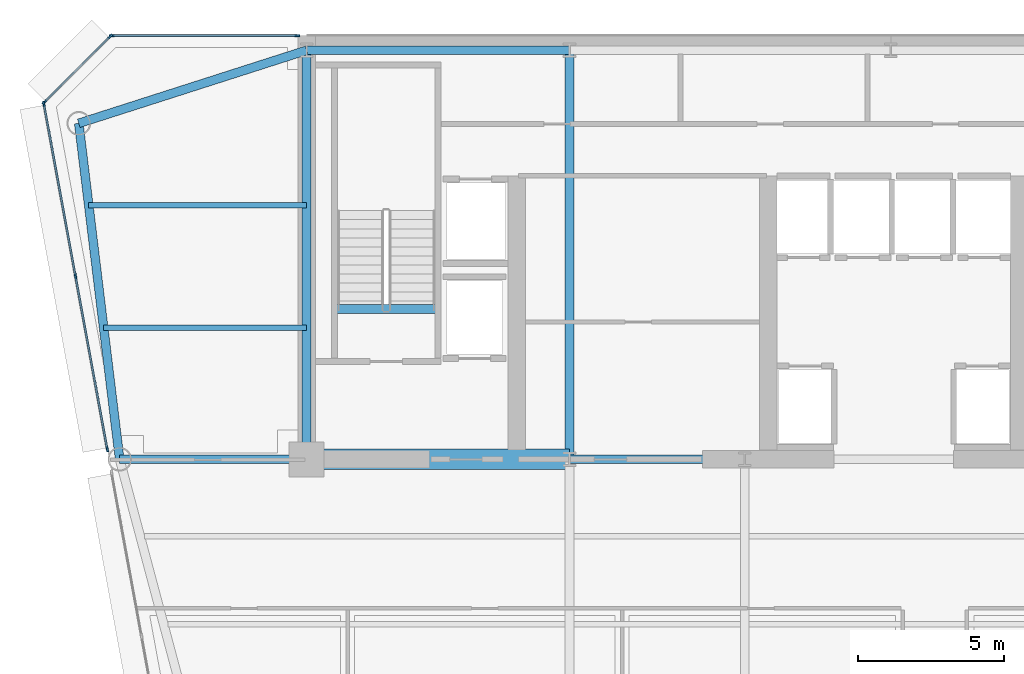
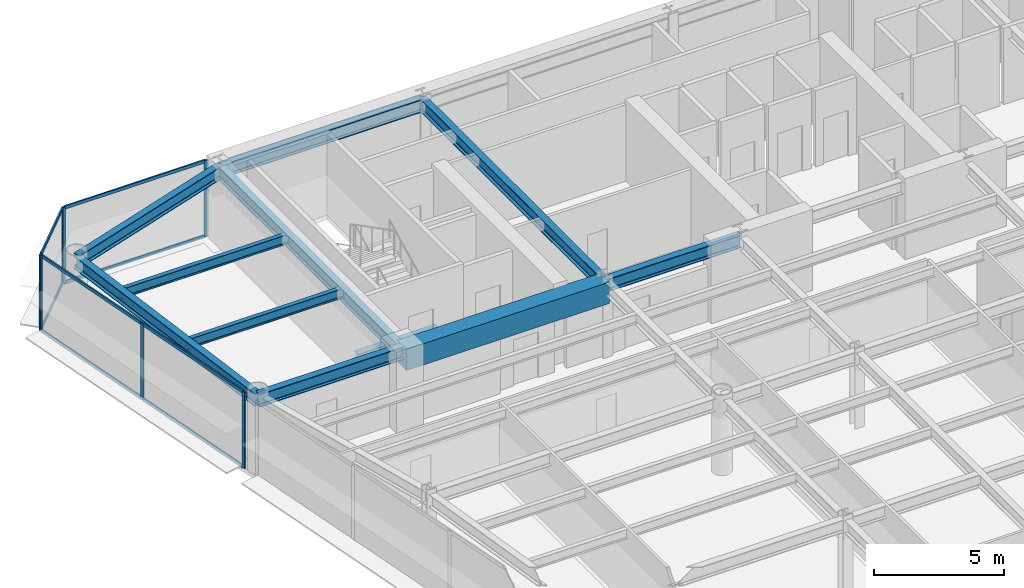
# One storey, part 7 of 17: 15 members, 11 beams, 3 elements without a shape of their own.
"""IFC4 building model written with IfcOpenShell, lengths in metres."""

from ifc_helpers import new_model, si_unit, direction, frame, origin, origin_2d, place, context, subcontext, project, spatial, rectangle, i_section, extrude, source, transform, mapped, material, layer, layer_set, material_profile, profile_set, type_object, element, aggregate, save


model = new_model("IFC4")

# Units and contexts
model_context = context("Model", 3, precision=1e-05, world=origin(), true_north=direction((0.0, 1.0)))
body_context = subcontext(model_context, "Body", "Model", "MODEL_VIEW")
ifc_project = project(units=[si_unit("LENGTHUNIT", "METRE"), si_unit("AREAUNIT", "SQUARE_METRE"), si_unit("VOLUMEUNIT", "CUBIC_METRE"), si_unit("PLANEANGLEUNIT", "RADIAN"), si_unit("MASSUNIT", "GRAM", prefix="KILO")], contexts=[model_context])

# Site, building, storey
site_placement = place(None, origin())
site = spatial("IfcSite", under=ifc_project, at=site_placement, CompositionType="ELEMENT")
building_placement = place(site_placement, origin())
building = spatial("IfcBuilding", under=site, at=building_placement, Name="Vaeldorn Concourse Tower", CompositionType="ELEMENT")
storey_placement = place(building_placement, frame((0.0, 0.0, 180.39990234375)))
storey = spatial("IfcBuildingStorey", under=building, at=storey_placement, Name="L46", CompositionType="ELEMENT", Elevation=180.39990234375)

# Beams
ifc_material_1 = material(Name="Concrete C50/60", Category="concrete")
ifc_material_profile_1 = material_profile(ifc_material_1, rectangle(XDim=0.699951171875, YDim=1.0, at=origin_2d()), Name="RC 700x1000")
ifc_profile_set_1 = profile_set([ifc_material_profile_1], Name="Concrete C50/60")
beam_type_1 = type_object("IfcBeamType", Name="BM-CB-RC700", PredefinedType="BEAM", material=ifc_profile_set_1)
shared_shape_1 = source(origin(), body_context, "Body", "SweptSolid", [
    extrude(rectangle(XDim=0.699951171875, YDim=1.0, at=origin_2d()), origin(), (0.0, 0.0, 1.0), 9.0),
])
beam_1_placement = place(storey_placement, frame((14.0, 36.5, 3.080078125), z_axis=(1.0, 0.0, 0.0), x_axis=(0.0, 1.0, 0.0)))
element("IfcBeam", 1, at=beam_1_placement, inside=storey, type_object=beam_type_1, Name="Core Coupling Beam L46-1", PredefinedType="BEAM", context=body_context, shape_type="MappedRepresentation", body=[
    mapped(shared_shape_1, transform((0.0, 0.0, 0.0), scale=1.0)),
])
ifc_material_2 = material(Name="Steel S355", Category="steel")
ifc_material_profile_2 = material_profile(ifc_material_2, i_section(OverallWidth=0.300048828125, OverallDepth=0.340087890625, WebThickness=0.011962890625, FlangeThickness=0.021484375, FilletRadius=0.027099609375, at=origin_2d()), Name="HEB 340")
ifc_profile_set_2 = profile_set([ifc_material_profile_2], Name="Steel S355")
beam_type_2 = type_object("IfcBeamType", Name="BM-ST-TRIM", PredefinedType="BEAM", material=ifc_profile_set_2)
shared_shape_2 = source(origin(), body_context, "Body", "SweptSolid", [
    extrude(i_section(OverallWidth=0.300048828125, OverallDepth=0.340087890625, WebThickness=0.011962890625, FlangeThickness=0.021484375, FilletRadius=0.027099609375, at=origin_2d()), origin(), (0.0, 0.0, 1.0), 3.590087890625),
])
beam_2_placement = place(storey_placement, frame((14.929931640625, 41.639892578125, -0.389892578125), z_axis=(1.0, 0.0, 0.0), x_axis=(0.0, 1.0, 0.0)))
element("IfcBeam", 2, at=beam_2_placement, inside=storey, type_object=beam_type_2, Name="Stair Landing Trimmer Beam ST-1 L46", PredefinedType="BEAM", context=body_context, shape_type="MappedRepresentation", body=[
    mapped(shared_shape_2, transform((0.0, 0.0, 0.0), scale=1.0)),
])
ifc_material_profile_3 = material_profile(ifc_material_2, i_section(OverallWidth=0.18994140625, OverallDepth=0.449951171875, WebThickness=0.009521484375, FlangeThickness=0.0146484375, FilletRadius=0.02099609375, at=origin_2d()), Name="IPE 450")
ifc_profile_set_3 = profile_set([ifc_material_profile_3], Name="Steel S355")
beam_type_3 = type_object("IfcBeamType", Name="BM-JS-IPE450", PredefinedType="JOIST", material=ifc_profile_set_3)
shared_shape_3 = source(origin(), body_context, "Body", "SweptSolid", [
    extrude(i_section(OverallWidth=0.18994140625, OverallDepth=0.449951171875, WebThickness=0.009521484375, FlangeThickness=0.0146484375, FilletRadius=0.02099609375, at=origin_2d()), origin(), (0.0, 0.0, 1.0), 6.94775390625),
])
beam_3_placement = place(storey_placement, frame((7.05224609375, 41.0, 3.35498046875), z_axis=(1.0, 0.0, 0.0), x_axis=(0.0, 1.0, 0.0)))
element("IfcBeam", 3, at=beam_3_placement, inside=storey, type_object=beam_type_3, Name="Beam JS-L46-NW-410", PredefinedType="JOIST", context=body_context, shape_type="MappedRepresentation", body=[
    mapped(shared_shape_3, transform((0.0, 0.0, 0.0), scale=1.0)),
])
shared_shape_4 = source(origin(), body_context, "Body", "SweptSolid", [
    extrude(i_section(OverallWidth=0.18994140625, OverallDepth=0.449951171875, WebThickness=0.009521484375, FlangeThickness=0.0146484375, FilletRadius=0.02099609375, at=origin_2d()), origin(), (0.0, 0.0, 1.0), 7.458984375),
])
beam_4_placement = place(storey_placement, frame((6.541015625, 45.199951171875, 3.35498046875), z_axis=(1.0, 0.0, 0.0), x_axis=(0.0, 1.0, 0.0)))
element("IfcBeam", 4, at=beam_4_placement, inside=storey, type_object=beam_type_3, Name="Beam JS-L46-NW-452", PredefinedType="JOIST", context=body_context, shape_type="MappedRepresentation", body=[
    mapped(shared_shape_4, transform((0.0, 0.0, 0.0), scale=1.0)),
])
ifc_material_profile_4 = material_profile(ifc_material_2, i_section(OverallWidth=0.300048828125, OverallDepth=0.60009765625, WebThickness=0.015380859375, FlangeThickness=0.030029296875, FilletRadius=0.027099609375, at=origin_2d()), Name="HEB 600")
ifc_profile_set_4 = profile_set([ifc_material_profile_4], Name="Steel S355")
beam_type_4 = type_object("IfcBeamType", Name="BM-PG-HEB600", PredefinedType="BEAM", material=ifc_profile_set_4)
shared_shape_5 = source(origin(), body_context, "Body", "SweptSolid", [
    extrude(i_section(OverallWidth=0.300048828125, OverallDepth=0.60009765625, WebThickness=0.015380859375, FlangeThickness=0.030029296875, FilletRadius=0.027099609375, at=origin_2d()), origin(), (0.0, 0.0, 1.0), 6.0),
])
beam_5_placement = place(storey_placement, frame((23.0, 36.5, 3.280029296875), z_axis=(1.0, 0.0, 0.0), x_axis=(0.0, 1.0, 0.0)))
element("IfcBeam", 5, at=beam_5_placement, inside=storey, type_object=beam_type_4, Name="Beam BM-L46-C-FC2-C-FC3", PredefinedType="BEAM", context=body_context, shape_type="MappedRepresentation", body=[
    mapped(shared_shape_5, transform((0.0, 0.0, 0.0), scale=1.0)),
])
shared_shape_6 = source(origin(), body_context, "Body", "SweptSolid", [
    extrude(i_section(OverallWidth=0.300048828125, OverallDepth=0.60009765625, WebThickness=0.015380859375, FlangeThickness=0.030029296875, FilletRadius=0.027099609375, at=origin_2d()), origin(), (0.0, 0.0, 1.0), 9.0),
])
beam_6_placement = place(storey_placement, frame((14.0, 50.5, 3.280029296875), z_axis=(1.0, 0.0, 0.0), x_axis=(0.0, 1.0, 0.0)))
element("IfcBeam", 6, at=beam_6_placement, inside=storey, type_object=beam_type_4, Name="Beam BM-L46-C-HC1-C-HC2", PredefinedType="BEAM", context=body_context, shape_type="MappedRepresentation", body=[
    mapped(shared_shape_6, transform((0.0, 0.0, 0.0), scale=1.0)),
])
shared_shape_7 = source(origin(), body_context, "Body", "SweptSolid", [
    extrude(i_section(OverallWidth=0.300048828125, OverallDepth=0.60009765625, WebThickness=0.015380859375, FlangeThickness=0.030029296875, FilletRadius=0.027099609375, at=origin_2d()), origin(), (0.0, 0.0, 1.0), 14.0),
])
for number, where, z_axis, x_axis, name in (
    (7, (14.0, 36.5, 3.280029296875), (0.0, 1.0, 0.0), (-1.0, 0.0, 0.0), "Beam BM-L46-C-FC1-C-HC1"),
    (8, (23.0, 36.5, 3.280029296875), (0.0, 1.0, 0.0), (-1.0, 0.0, 0.0), "Beam BM-L46-C-FC2-C-HC2"),
):
    element("IfcBeam", number, at=place(storey_placement, frame(where, z_axis=z_axis, x_axis=x_axis)), inside=storey, type_object=beam_type_4, Name=name, PredefinedType="BEAM", context=body_context, shape_type="MappedRepresentation", body=[
        mapped(shared_shape_7, transform((0.0, 0.0, 0.0), scale=1.0)),
    ])
shared_shape_8 = source(origin(), body_context, "Body", "SweptSolid", [
    extrude(i_section(OverallWidth=0.300048828125, OverallDepth=0.60009765625, WebThickness=0.015380859375, FlangeThickness=0.030029296875, FilletRadius=0.027099609375, at=origin_2d()), origin(), (0.0, 0.0, 1.0), 8.19091796875),
])
beam_7_placement = place(storey_placement, frame((6.199951171875, 48.0, 3.280029296875), z_axis=(0.952282843383, 0.305216949396, 0.0), x_axis=(-0.305216949396, 0.952282843383, 0.0)))
element("IfcBeam", 9, at=beam_7_placement, inside=storey, type_object=beam_type_4, Name="Beam BM-L46-C-NW1-C-HC1", PredefinedType="BEAM", context=body_context, shape_type="MappedRepresentation", body=[
    mapped(shared_shape_8, transform((0.0, 0.0, 0.0), scale=1.0)),
])
shared_shape_9 = source(origin(), body_context, "Body", "SweptSolid", [
    extrude(i_section(OverallWidth=0.300048828125, OverallDepth=0.60009765625, WebThickness=0.015380859375, FlangeThickness=0.030029296875, FilletRadius=0.027099609375, at=origin_2d()), origin(), (0.0, 0.0, 1.0), 11.5849609375),
])
beam_8_placement = place(storey_placement, frame((6.199951171875, 48.0, 3.280029296875), z_axis=(0.120859382899, -0.992669637677, 0.0), x_axis=(0.992669637677, 0.120859382899, 0.0)))
element("IfcBeam", 10, at=beam_8_placement, inside=storey, type_object=beam_type_4, Name="Beam BM-L46-C-NW1-C-NW2", PredefinedType="BEAM", context=body_context, shape_type="MappedRepresentation", body=[
    mapped(shared_shape_9, transform((0.0, 0.0, 0.0), scale=1.0)),
])
shared_shape_10 = source(origin(), body_context, "Body", "SweptSolid", [
    extrude(i_section(OverallWidth=0.300048828125, OverallDepth=0.60009765625, WebThickness=0.015380859375, FlangeThickness=0.030029296875, FilletRadius=0.027099609375, at=origin_2d()), origin(), (0.0, 0.0, 1.0), 6.39990234375),
])
beam_9_placement = place(storey_placement, frame((7.60009765625, 36.5, 3.280029296875), z_axis=(1.0, 0.0, 0.0), x_axis=(0.0, 1.0, 0.0)))
element("IfcBeam", 11, at=beam_9_placement, inside=storey, type_object=beam_type_4, Name="Beam BM-L46-C-NW2-C-FC1", PredefinedType="BEAM", context=body_context, shape_type="MappedRepresentation", body=[
    mapped(shared_shape_10, transform((0.0, 0.0, 0.0), scale=1.0)),
])

# Curtain wall, members
ifc_material_3 = material(Name="Anodised Bronze Aluminium", Category="aluminium")
ifc_layer_1 = layer(ifc_material_3, 0.18994140625)
ifc_layer_set_1 = layer_set([ifc_layer_1], Name="Anodised Bronze Aluminium")
curtain_wall_type_1 = type_object("IfcCurtainWallType", Name="CW-SYS-03", PredefinedType="NOTDEFINED", material=ifc_layer_set_1)
curtain_wall_1_placement = place(storey_placement, origin())
curtain_wall_1 = element("IfcCurtainWall", 12, at=curtain_wall_1_placement, inside=storey, type_object=curtain_wall_type_1, Name="Unitised Curtain Wall CW-L46-E10-1", PredefinedType="NOTDEFINED")
ifc_material_profile_5 = material_profile(ifc_material_3, rectangle(XDim=0.06494140625, YDim=0.14990234375, at=origin_2d()), Name="CWT 65x150")
ifc_profile_set_5 = profile_set([ifc_material_profile_5], Name="Anodised Bronze Aluminium")
member_type_1 = type_object("IfcMemberType", Name="CWT-BRONZE-150", PredefinedType="USERDEFINED", material=ifc_profile_set_5)
shared_shape_11 = source(origin(), body_context, "Body", "SweptSolid", [
    extrude(rectangle(XDim=0.06494140625, YDim=0.14990234375, at=origin_2d()), origin(), (0.0, 0.0, 1.0), 3.123046875),
])
member_1_placement = place(storey_placement, frame((7.254150390625, 50.9541015625, 0.03271484375), z_axis=(-0.707106781187, -0.707106781187, 0.0), x_axis=(0.707106781187, -0.707106781187, 0.0)))
member_1 = element("IfcMember", 13, at=member_1_placement, type_object=member_type_1, Name="CW-03 transom 1.1", ObjectType="TRANSOM", PredefinedType="USERDEFINED", context=body_context, shape_type="MappedRepresentation", body=[
    mapped(shared_shape_11, transform((0.0, 0.0, 0.0), scale=1.0)),
])
member_2_placement = place(storey_placement, frame((7.254150390625, 50.9541015625, 3.547607421875), z_axis=(-0.707106781187, -0.707106781187, 0.0), x_axis=(0.707106781187, -0.707106781187, 0.0)))
member_2 = element("IfcMember", 14, at=member_2_placement, type_object=member_type_1, Name="CW-03 transom 1.2", ObjectType="TRANSOM", PredefinedType="USERDEFINED", context=body_context, shape_type="MappedRepresentation", body=[
    mapped(shared_shape_11, transform((0.0, 0.0, 0.0), scale=1.0)),
])

curtain_wall_2_placement = place(storey_placement, origin())
curtain_wall_2 = element("IfcCurtainWall", 15, at=curtain_wall_2_placement, inside=storey, type_object=curtain_wall_type_1, Name="Unitised Curtain Wall CW-L46-E09-2", PredefinedType="NOTDEFINED")
ifc_material_profile_6 = material_profile(ifc_material_3, rectangle(XDim=0.06494140625, YDim=0.169921875, at=origin_2d()), Name="CWM 65x170")
ifc_profile_set_6 = profile_set([ifc_material_profile_6], Name="Anodised Bronze Aluminium")
member_type_2 = type_object("IfcMemberType", Name="CWM-BRONZE-170", PredefinedType="MULLION", material=ifc_profile_set_6)
shared_shape_12 = source(origin(), body_context, "Body", "SweptSolid", [
    extrude(rectangle(XDim=0.06494140625, YDim=0.169921875, at=origin_2d()), origin(), (0.0, 0.0, 1.0), 3.580078125),
])
member_3_placement = place(storey_placement, frame((13.672607421875, 51.0, 0.0), z_axis=(0.0, 0.0, 1.0), x_axis=(0.0, -1.0, 0.0)))
member_3 = element("IfcMember", 16, at=member_3_placement, type_object=member_type_2, Name="CW-03 mullion 1", PredefinedType="MULLION", context=body_context, shape_type="MappedRepresentation", body=[
    mapped(shared_shape_12, transform((0.0, 0.0, 0.0), scale=1.0)),
])
member_4_placement = place(storey_placement, frame((7.33251953125, 51.0, 0.0), z_axis=(0.0, 0.0, 1.0), x_axis=(0.0, -1.0, 0.0)))
member_4 = element("IfcMember", 17, at=member_4_placement, type_object=member_type_2, Name="CW-03 mullion 2", PredefinedType="MULLION", context=body_context, shape_type="MappedRepresentation", body=[
    mapped(shared_shape_12, transform((0.0, 0.0, 0.0), scale=1.0)),
])

# Member
member_5_placement = place(storey_placement, frame((7.277099609375, 50.97705078125, 0.0), z_axis=(0.0, 0.0, 1.0), x_axis=(0.707106781187, -0.707106781187, 0.0)))
member_5 = element("IfcMember", 18, at=member_5_placement, type_object=member_type_2, Name="CW-03 mullion 1", PredefinedType="MULLION", context=body_context, shape_type="MappedRepresentation", body=[
    mapped(shared_shape_12, transform((0.0, 0.0, 0.0), scale=1.0)),
])

member_6_placement = place(storey_placement, frame((5.02294921875, 48.722900390625, 0.0), z_axis=(0.0, 0.0, 1.0), x_axis=(0.707106781187, -0.707106781187, 0.0)))
member_6 = element("IfcMember", 19, at=member_6_placement, type_object=member_type_2, Name="CW-03 mullion 2", PredefinedType="MULLION", context=body_context, shape_type="MappedRepresentation", body=[
    mapped(shared_shape_12, transform((0.0, 0.0, 0.0), scale=1.0)),
])

aggregate(curtain_wall_1, [member_5, member_6, member_1, member_2])

# Curtain wall, members
ifc_layer_2 = layer(ifc_material_3, 0.2099609375)
ifc_layer_set_2 = layer_set([ifc_layer_2], Name="Anodised Bronze Aluminium")
curtain_wall_type_2 = type_object("IfcCurtainWallType", Name="CW-SYS-06", PredefinedType="NOTDEFINED", material=ifc_layer_set_2)
curtain_wall_3_placement = place(storey_placement, origin())
curtain_wall_3 = element("IfcCurtainWall", 20, at=curtain_wall_3_placement, inside=storey, type_object=curtain_wall_type_2, Name="Unitised Curtain Wall CW-L46-E11-1", PredefinedType="NOTDEFINED")
member_7_placement = place(storey_placement, frame((5.005859375, 48.66796875, 0.0), z_axis=(0.0, 0.0, 1.0), x_axis=(0.983559459619, 0.180584576845, 0.0)))
member_7 = element("IfcMember", 21, at=member_7_placement, type_object=member_type_2, Name="CW-06 mullion 1", PredefinedType="MULLION", context=body_context, shape_type="MappedRepresentation", body=[
    mapped(shared_shape_12, transform((0.0, 0.0, 0.0), scale=1.0)),
])
member_8_placement = place(storey_placement, frame((6.091796875, 42.753662109375, 0.0), z_axis=(0.0, 0.0, 1.0), x_axis=(0.983559459619, 0.180584576845, 0.0)))
member_8 = element("IfcMember", 22, at=member_8_placement, type_object=member_type_2, Name="CW-06 mullion 2", PredefinedType="MULLION", context=body_context, shape_type="MappedRepresentation", body=[
    mapped(shared_shape_12, transform((0.0, 0.0, 0.0), scale=1.0)),
])
member_9_placement = place(storey_placement, frame((7.177734375, 36.83935546875, 0.0), z_axis=(0.0, 0.0, 1.0), x_axis=(0.983559459619, 0.180584576845, 0.0)))
member_9 = element("IfcMember", 23, at=member_9_placement, type_object=member_type_2, Name="CW-06 mullion 3", PredefinedType="MULLION", context=body_context, shape_type="MappedRepresentation", body=[
    mapped(shared_shape_12, transform((0.0, 0.0, 0.0), scale=1.0)),
])

# Member
shared_shape_13 = source(origin(), body_context, "Body", "SweptSolid", [
    extrude(rectangle(XDim=0.06494140625, YDim=0.14990234375, at=origin_2d()), origin(), (0.0, 0.0, 1.0), 6.27490234375),
])
member_10_placement = place(storey_placement, frame((13.639892578125, 51.0, 0.03271484375), z_axis=(-1.0, 0.0, 0.0), x_axis=(0.0, -1.0, 0.0)))
member_10 = element("IfcMember", 24, at=member_10_placement, type_object=member_type_1, Name="CW-03 transom 1.1", ObjectType="TRANSOM", PredefinedType="USERDEFINED", context=body_context, shape_type="MappedRepresentation", body=[
    mapped(shared_shape_13, transform((0.0, 0.0, 0.0), scale=1.0)),
])

member_11_placement = place(storey_placement, frame((13.639892578125, 51.0, 3.547607421875), z_axis=(-1.0, 0.0, 0.0), x_axis=(0.0, -1.0, 0.0)))
member_11 = element("IfcMember", 25, at=member_11_placement, type_object=member_type_1, Name="CW-03 transom 1.2", ObjectType="TRANSOM", PredefinedType="USERDEFINED", context=body_context, shape_type="MappedRepresentation", body=[
    mapped(shared_shape_13, transform((0.0, 0.0, 0.0), scale=1.0)),
])

aggregate(curtain_wall_2, [member_3, member_4, member_10, member_11])

shared_shape_14 = source(origin(), body_context, "Body", "SweptSolid", [
    extrude(rectangle(XDim=0.06494140625, YDim=0.14990234375, at=origin_2d()), origin(), (0.0, 0.0, 1.0), 5.9482421875),
])
member_12_placement = place(storey_placement, frame((5.01171875, 48.635986328125, 0.03271484375), z_axis=(0.180597229094, -0.983557136542, 0.0), x_axis=(0.983557136542, 0.180597229094, 0.0)))
member_12 = element("IfcMember", 26, at=member_12_placement, type_object=member_type_1, Name="CW-06 transom 1.1", ObjectType="TRANSOM", PredefinedType="USERDEFINED", context=body_context, shape_type="MappedRepresentation", body=[
    mapped(shared_shape_14, transform((0.0, 0.0, 0.0), scale=1.0)),
])

member_13_placement = place(storey_placement, frame((5.01171875, 48.635986328125, 3.547607421875), z_axis=(0.180597229094, -0.983557136542, 0.0), x_axis=(0.983557136542, 0.180597229094, 0.0)))
member_13 = element("IfcMember", 27, at=member_13_placement, type_object=member_type_1, Name="CW-06 transom 1.2", ObjectType="TRANSOM", PredefinedType="USERDEFINED", context=body_context, shape_type="MappedRepresentation", body=[
    mapped(shared_shape_14, transform((0.0, 0.0, 0.0), scale=1.0)),
])

member_14_placement = place(storey_placement, frame((6.09765625, 42.7216796875, 0.03271484375), z_axis=(0.180597229094, -0.983557136542, 0.0), x_axis=(0.983557136542, 0.180597229094, 0.0)))
member_14 = element("IfcMember", 28, at=member_14_placement, type_object=member_type_1, Name="CW-06 transom 2.1", ObjectType="TRANSOM", PredefinedType="USERDEFINED", context=body_context, shape_type="MappedRepresentation", body=[
    mapped(shared_shape_14, transform((0.0, 0.0, 0.0), scale=1.0)),
])

member_15_placement = place(storey_placement, frame((6.09765625, 42.7216796875, 3.547607421875), z_axis=(0.180597229094, -0.983557136542, 0.0), x_axis=(0.983557136542, 0.180597229094, 0.0)))
member_15 = element("IfcMember", 29, at=member_15_placement, type_object=member_type_1, Name="CW-06 transom 2.2", ObjectType="TRANSOM", PredefinedType="USERDEFINED", context=body_context, shape_type="MappedRepresentation", body=[
    mapped(shared_shape_14, transform((0.0, 0.0, 0.0), scale=1.0)),
])

aggregate(curtain_wall_3, [member_7, member_8, member_9, member_12, member_13, member_14, member_15])

save(model, "model.ifc")
